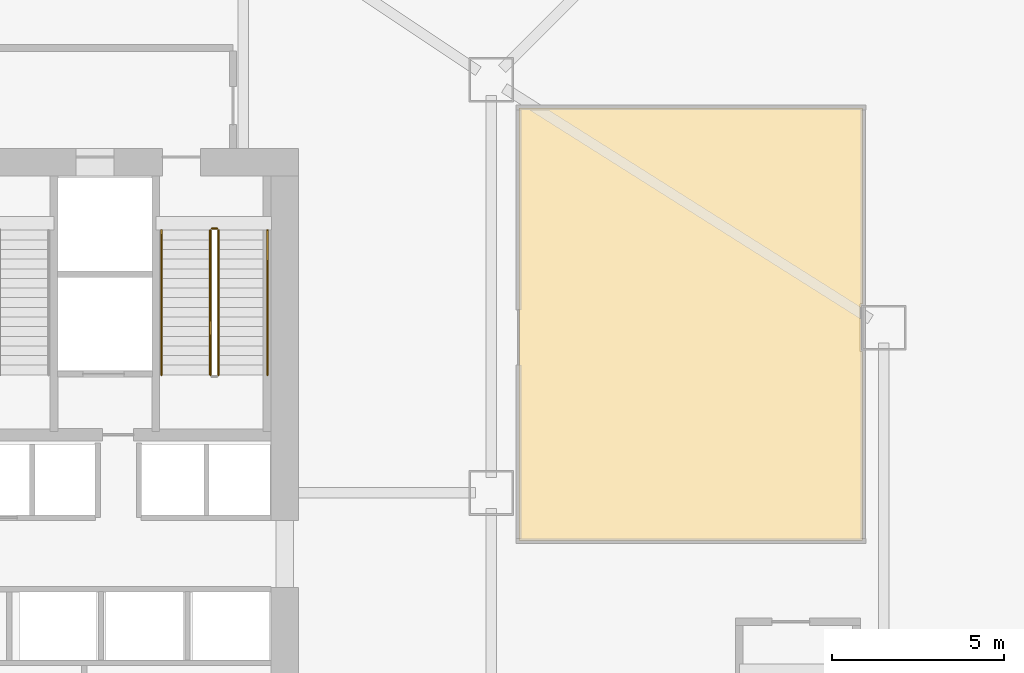
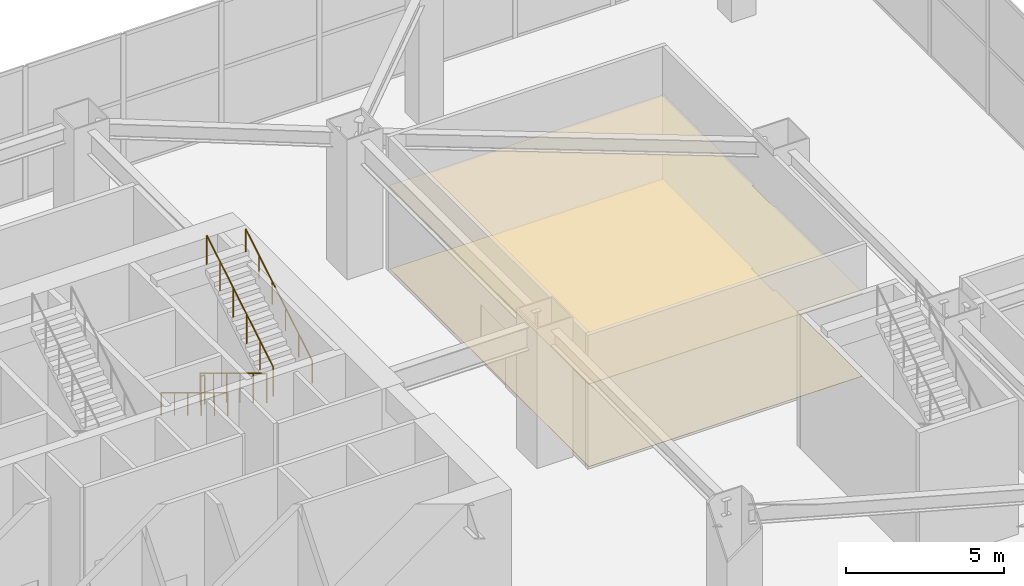
# One storey, part 36 of 37: 5 railings, 2 coverings.
"""IFC4 building model written with IfcOpenShell, lengths in metres."""

from ifc_helpers import new_model, si_unit, direction, frame, origin, origin_2d, place, context, subcontext, project, spatial, polyline, circle, outline, extrude, material, layer, layer_set, type_object, element, save


model = new_model("IFC4")

# Units and contexts
model_context = context("Model", 3, precision=1e-05, world=origin(), true_north=direction((0.0, 1.0)))
body_context = subcontext(model_context, "Body", "Model", "MODEL_VIEW")
ifc_project = project(units=[si_unit("LENGTHUNIT", "METRE"), si_unit("AREAUNIT", "SQUARE_METRE"), si_unit("VOLUMEUNIT", "CUBIC_METRE"), si_unit("PLANEANGLEUNIT", "RADIAN"), si_unit("MASSUNIT", "GRAM", prefix="KILO")], contexts=[model_context])

# Site, building, storey
site_placement = place(None, origin())
site = spatial("IfcSite", under=ifc_project, at=site_placement, CompositionType="ELEMENT")
building_placement = place(site_placement, origin())
building = spatial("IfcBuilding", under=site, at=building_placement, Name="Haolan Belvedere Tower", CompositionType="ELEMENT")
storey_placement = place(building_placement, frame((0.0, 0.0, 10.199951171875)))
storey = spatial("IfcBuildingStorey", under=building, at=storey_placement, Name="L02", CompositionType="ELEMENT", Elevation=10.199951171875)

# Coverings
ifc_material_1 = material(Name="Acoustic mineral-fibre suspended ceiling system", Category="masonry")
ifc_layer_1 = layer(ifc_material_1, 0.02490234375, Name="Acoustic mineral-fibre suspended ceiling system")
ifc_layer_set_1 = layer_set([ifc_layer_1], Name="Acoustic mineral-fibre suspended ceiling system")
covering_type_1 = type_object("IfcCoveringType", Name="COV-CEIL-AC25", PredefinedType="CEILING", material=ifc_layer_set_1)
covering_1_placement = place(storey_placement, frame((0.0, 0.0, 3.199951171875)))
element("IfcCovering", 1, at=covering_1_placement, inside=storey, type_object=covering_type_1, Name="L02 suspended acoustic ceiling L02-GBE.3", PredefinedType="CEILING", context=body_context, shape_type="SweptSolid", body=[
    extrude(outline(polyline([(63.612060546875, 37.735107421875), (63.534912109375, 37.735107421875), (63.534912109375, 39.06494140625), (63.612060546875, 39.06494140625), (63.612060546875, 44.81201171875), (53.587890625, 44.81201171875), (53.587890625, 32.18798828125), (63.612060546875, 32.18798828125), (63.612060546875, 37.735107421875)])), origin(), (0.0, 0.0, 1.0), 0.025146484375),
])
ifc_material_2 = material(Name="Honed terrazzo and natural granite stone flooring", Category="masonry")
ifc_layer_2 = layer(ifc_material_2, 0.014892578125, Name="Honed terrazzo and natural granite stone flooring")
ifc_layer_set_2 = layer_set([ifc_layer_2], Name="Honed terrazzo and natural granite stone flooring")
covering_type_2 = type_object("IfcCoveringType", Name="COV-FLR-STN30", PredefinedType="FLOORING", material=ifc_layer_set_2)
covering_2_placement = place(storey_placement, origin())
element("IfcCovering", 2, at=covering_2_placement, inside=storey, type_object=covering_type_2, Name="L02 polished stone floor finish L02-GBE.3", PredefinedType="FLOORING", context=body_context, shape_type="SweptSolid", body=[
    extrude(outline(polyline([(63.510009765625, 37.7099609375), (63.510009765625, 39.090087890625), (63.5869140625, 39.090087890625), (63.5869140625, 44.787109375), (53.613037109375, 44.787109375), (53.613037109375, 32.212890625), (63.5869140625, 32.212890625), (63.5869140625, 37.7099609375), (63.510009765625, 37.7099609375)])), origin(), (0.0, 0.0, 1.0), 0.01513671875),
])

# Railings
ifc_material_3 = material(Name="Brushed stainless steel 304", Category="steel")
railing_type_1 = type_object("IfcRailingType", Name="RL-STAIR-GRD-1150", PredefinedType="GUARDRAIL", material=ifc_material_3)
railing_1_placement = place(storey_placement, frame((44.639892578125, 41.22998046875, 0.168701171875)))
element("IfcRailing", 3, at=railing_1_placement, inside=storey, type_object=railing_type_1, Name="L02 ST2 stair guard 1", PredefinedType="GUARDRAIL", context=body_context, shape_type="SweptSolid", body=[
    extrude(circle(Radius=0.02392578125, at=origin_2d()), frame((0.0, 0.0, 1.1259765625), z_axis=(0.0, -0.856476492594, 0.516186030065), x_axis=(1.0, 0.0, 0.0)), (0.0, 0.0, 1.0), 4.90380859375),
    extrude(circle(Radius=0.02099609375, at=origin_2d()), origin(), (0.0, 0.0, 1.0), 1.101806640625),
    extrude(circle(Radius=0.02099609375, at=origin_2d()), frame((0.0, -0.840087890625, 0.50634765625)), (0.0, 0.0, 1.0), 1.101806640625),
    extrude(circle(Radius=0.02099609375, at=origin_2d()), frame((0.0, -1.679931640625, 1.012451171875)), (0.0, 0.0, 1.0), 1.101806640625),
    extrude(circle(Radius=0.02099609375, at=origin_2d()), frame((0.0, -2.52001953125, 1.518798828125)), (0.0, 0.0, 1.0), 1.101806640625),
    extrude(circle(Radius=0.02099609375, at=origin_2d()), frame((0.0, -3.35986328125, 2.02490234375)), (0.0, 0.0, 1.0), 1.101806640625),
    extrude(circle(Radius=0.02099609375, at=origin_2d()), frame((0.0, -4.199951171875, 2.53125)), (0.0, 0.0, 1.0), 1.101806640625),
])
railing_2_placement = place(storey_placement, frame((44.8798828125, 37.030029296875, 2.868896484375)))
element("IfcRailing", 4, at=railing_2_placement, inside=storey, type_object=railing_type_1, Name="L02 ST2 stair guard 3", PredefinedType="GUARDRAIL", context=body_context, shape_type="SweptSolid", body=[
    extrude(circle(Radius=0.02392578125, at=origin_2d()), frame((0.0, 0.0, 1.1259765625), z_axis=(0.0, 0.856476492594, 0.516186030065), x_axis=(-1.0, 0.0, 0.0)), (0.0, 0.0, 1.0), 4.90380859375),
    extrude(circle(Radius=0.02099609375, at=origin_2d()), origin(), (0.0, 0.0, 1.0), 1.101806640625),
    extrude(circle(Radius=0.02099609375, at=origin_2d()), frame((0.0, 0.840087890625, 0.50634765625)), (0.0, 0.0, 1.0), 1.101806640625),
    extrude(circle(Radius=0.02099609375, at=origin_2d()), frame((0.0, 1.679931640625, 1.012451171875)), (0.0, 0.0, 1.0), 1.101806640625),
    extrude(circle(Radius=0.02099609375, at=origin_2d()), frame((0.0, 2.52001953125, 1.518798828125)), (0.0, 0.0, 1.0), 1.101806640625),
    extrude(circle(Radius=0.02099609375, at=origin_2d()), frame((0.0, 3.35986328125, 2.02490234375)), (0.0, 0.0, 1.0), 1.101806640625),
    extrude(circle(Radius=0.02099609375, at=origin_2d()), frame((0.0, 4.199951171875, 2.53125)), (0.0, 0.0, 1.0), 1.101806640625),
])
railing_3_placement = place(storey_placement, frame((44.68994140625, 41.280029296875, 0.0)))
element("IfcRailing", 5, at=railing_3_placement, inside=storey, type_object=railing_type_1, Name="L02 ST2 stair guard 4", PredefinedType="GUARDRAIL", context=body_context, shape_type="SweptSolid", body=[
    extrude(circle(Radius=0.02392578125, at=origin_2d()), frame((0.0, 0.0, 1.1259765625), z_axis=(1.0, 0.0, 0.0), x_axis=(0.0, 1.0, 0.0)), (0.0, 0.0, 1.0), 0.14013671875),
    extrude(circle(Radius=0.02099609375, at=origin_2d()), origin(), (0.0, 0.0, 1.0), 1.101806640625),
    extrude(circle(Radius=0.02099609375, at=origin_2d()), frame((0.14013671875, 0.0, 0.0)), (0.0, 0.0, 1.0), 1.101806640625),
])
railing_type_2 = type_object("IfcRailingType", Name="RL-STAIR-HND-900", PredefinedType="HANDRAIL", material=ifc_material_3)
railing_4_placement = place(storey_placement, frame((43.219970703125, 41.22998046875, 0.168701171875)))
element("IfcRailing", 6, at=railing_4_placement, inside=storey, type_object=railing_type_2, Name="L02 ST2 stair handrail 1", PredefinedType="HANDRAIL", context=body_context, shape_type="SweptSolid", body=[
    extrude(circle(Radius=0.02392578125, at=origin_2d()), frame((0.0, 0.0, 0.8759765625), z_axis=(0.0, -0.856476492594, 0.516186030065), x_axis=(1.0, 0.0, 0.0)), (0.0, 0.0, 1.0), 4.90380859375),
    extrude(circle(Radius=0.02099609375, at=origin_2d()), origin(), (0.0, 0.0, 1.0), 0.851806640625),
    extrude(circle(Radius=0.02099609375, at=origin_2d()), frame((0.0, -0.840087890625, 0.50634765625)), (0.0, 0.0, 1.0), 0.851806640625),
    extrude(circle(Radius=0.02099609375, at=origin_2d()), frame((0.0, -1.679931640625, 1.012451171875)), (0.0, 0.0, 1.0), 0.851806640625),
    extrude(circle(Radius=0.02099609375, at=origin_2d()), frame((0.0, -2.52001953125, 1.518798828125)), (0.0, 0.0, 1.0), 0.851806640625),
    extrude(circle(Radius=0.02099609375, at=origin_2d()), frame((0.0, -3.35986328125, 2.02490234375)), (0.0, 0.0, 1.0), 0.851806640625),
    extrude(circle(Radius=0.02099609375, at=origin_2d()), frame((0.0, -4.199951171875, 2.53125)), (0.0, 0.0, 1.0), 0.851806640625),
])
railing_5_placement = place(storey_placement, frame((46.300048828125, 37.030029296875, 2.868896484375)))
element("IfcRailing", 7, at=railing_5_placement, inside=storey, type_object=railing_type_2, Name="L02 ST2 stair handrail 2", PredefinedType="HANDRAIL", context=body_context, shape_type="SweptSolid", body=[
    extrude(circle(Radius=0.02392578125, at=origin_2d()), frame((0.0, 0.0, 0.8759765625), z_axis=(0.0, 0.856476492594, 0.516186030065), x_axis=(-1.0, 0.0, 0.0)), (0.0, 0.0, 1.0), 4.90380859375),
    extrude(circle(Radius=0.02099609375, at=origin_2d()), origin(), (0.0, 0.0, 1.0), 0.851806640625),
    extrude(circle(Radius=0.02099609375, at=origin_2d()), frame((0.0, 0.840087890625, 0.50634765625)), (0.0, 0.0, 1.0), 0.851806640625),
    extrude(circle(Radius=0.02099609375, at=origin_2d()), frame((0.0, 1.679931640625, 1.012451171875)), (0.0, 0.0, 1.0), 0.851806640625),
    extrude(circle(Radius=0.02099609375, at=origin_2d()), frame((0.0, 2.52001953125, 1.518798828125)), (0.0, 0.0, 1.0), 0.851806640625),
    extrude(circle(Radius=0.02099609375, at=origin_2d()), frame((0.0, 3.35986328125, 2.02490234375)), (0.0, 0.0, 1.0), 0.851806640625),
    extrude(circle(Radius=0.02099609375, at=origin_2d()), frame((0.0, 4.199951171875, 2.53125)), (0.0, 0.0, 1.0), 0.851806640625),
])

save(model, "model.ifc")
